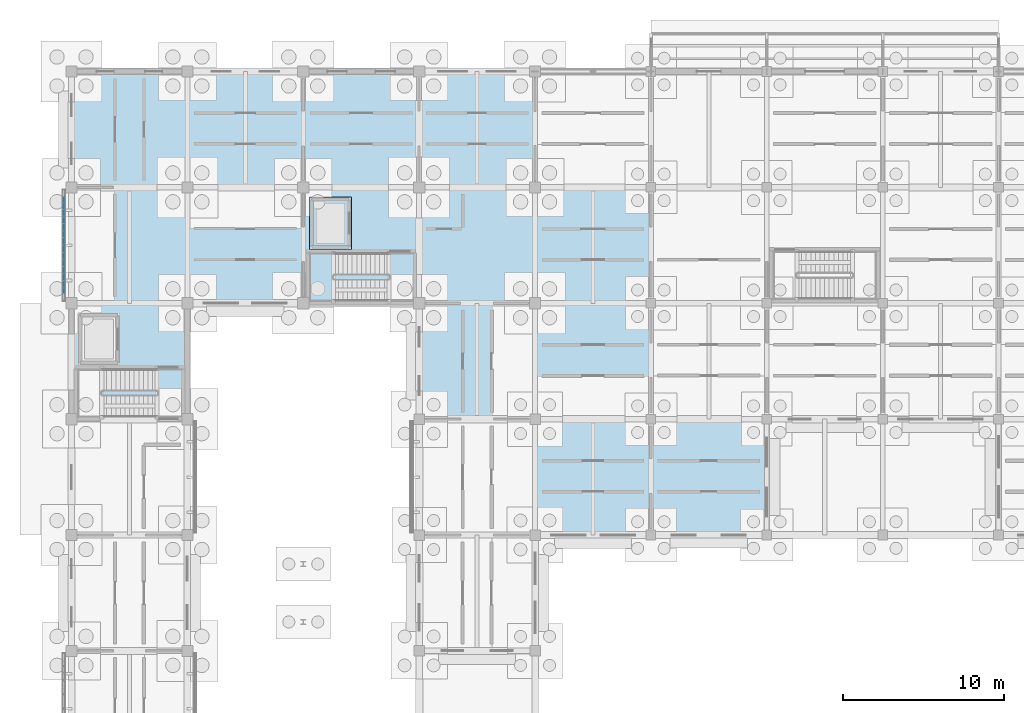
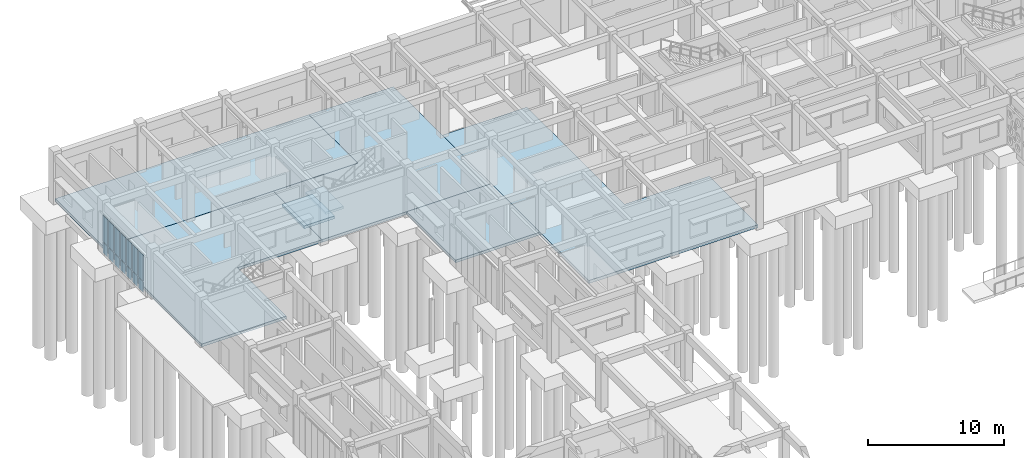
# One storey, part 51 of 111: 14 plates, 7 slabs, 2 elements without a shape of their own.
"""IFC4 building model written with IfcOpenShell, lengths in metres."""

from ifc_helpers import new_model, si_unit, direction, frame, origin, origin_2d, place, context, subcontext, project, spatial, polyline, rectangle, outline, extrude, material, layer, layer_set, type_object, element, aggregate, save


model = new_model("IFC4")

# Units and contexts
model_context = context("Model", 3, precision=1e-05, world=origin(), true_north=direction((0.0, 1.0)))
body_context = subcontext(model_context, "Body", "Model", "MODEL_VIEW")
ifc_project = project(units=[si_unit("LENGTHUNIT", "METRE"), si_unit("AREAUNIT", "SQUARE_METRE"), si_unit("VOLUMEUNIT", "CUBIC_METRE"), si_unit("PLANEANGLEUNIT", "RADIAN"), si_unit("MASSUNIT", "GRAM", prefix="KILO")], contexts=[model_context])

# Site, building, storey
site_placement = place(None, origin())
site = spatial("IfcSite", under=ifc_project, at=site_placement, CompositionType="ELEMENT")
building_placement = place(site_placement, origin())
building = spatial("IfcBuilding", under=site, at=building_placement, Name="Aldebral Square Health Centre", CompositionType="ELEMENT")
storey_placement = place(building_placement, origin())
storey = spatial("IfcBuildingStorey", under=building, at=storey_placement, Name="L00", CompositionType="ELEMENT", Elevation=0.0)

# Curtain wall, plates
ifc_material_1 = material(Name="Aluminium and low-E solar glass", Category="aluminium")
curtain_wall_type = type_object("IfcCurtainWallType", Name="CW-FIN-SYS", PredefinedType="USERDEFINED", material=ifc_material_1)
curtain_wall_placement = place(storey_placement, origin())
curtain_wall = element("IfcCurtainWall", 1, at=curtain_wall_placement, inside=storey, type_object=curtain_wall_type, Name="L00 V4 finned curtain wall L00-V4-00-14-W", ObjectType="SOLAR_CURTAIN_WALL", PredefinedType="USERDEFINED")
ifc_material_2 = material(Name="Solar-control low-E double glass", Category="glass")
ifc_layer_1 = layer(ifc_material_2, 0.02001953125, Name="Solar-control low-E double glass", Category="glass")
ifc_layer_set_1 = layer_set([ifc_layer_1], Name="Solar-control low-E double glass")
plate_type = type_object("IfcPlateType", Name="CWP-GLZ-1", PredefinedType="CURTAIN_PANEL", material=ifc_layer_set_1)
plate_1_placement = place(storey_placement, frame((-0.4599609375, 107.0341796875, 0.074951171875), z_axis=(0.0, 0.0, 1.0), x_axis=(0.0, -1.0, 0.0)))
plate_1 = element("IfcPlate", 2, at=plate_1_placement, type_object=plate_type, Name="CW1 panel 1.1", PredefinedType="CURTAIN_PANEL", context=body_context, shape_type="SweptSolid", body=[
    extrude(rectangle(XDim=0.6513671875, YDim=0.02001953125, at=origin_2d()), origin(), (0.0, 0.0, 1.0), 0.9375),
])
plate_2_placement = place(storey_placement, frame((-0.4599609375, 107.0341796875, 1.087646484375), z_axis=(0.0, 0.0, 1.0), x_axis=(0.0, -1.0, 0.0)))
plate_2 = element("IfcPlate", 3, at=plate_2_placement, type_object=plate_type, Name="CW1 panel 1.2", PredefinedType="CURTAIN_PANEL", context=body_context, shape_type="SweptSolid", body=[
    extrude(rectangle(XDim=0.6513671875, YDim=0.02001953125, at=origin_2d()), origin(), (0.0, 0.0, 1.0), 2.357421875),
])
plate_3_placement = place(storey_placement, frame((-0.4599609375, 106.182861328125, 0.074951171875), z_axis=(0.0, 0.0, 1.0), x_axis=(0.0, -1.0, 0.0)))
plate_3 = element("IfcPlate", 4, at=plate_3_placement, type_object=plate_type, Name="CW1 panel 2.1", PredefinedType="CURTAIN_PANEL", context=body_context, shape_type="SweptSolid", body=[
    extrude(rectangle(XDim=0.7314453125, YDim=0.02001953125, at=origin_2d()), origin(), (0.0, 0.0, 1.0), 0.9375),
])
plate_4_placement = place(storey_placement, frame((-0.4599609375, 106.182861328125, 1.087646484375), z_axis=(0.0, 0.0, 1.0), x_axis=(0.0, -1.0, 0.0)))
plate_4 = element("IfcPlate", 5, at=plate_4_placement, type_object=plate_type, Name="CW1 panel 2.2", PredefinedType="CURTAIN_PANEL", context=body_context, shape_type="SweptSolid", body=[
    extrude(rectangle(XDim=0.7314453125, YDim=0.02001953125, at=origin_2d()), origin(), (0.0, 0.0, 1.0), 2.357421875),
])
plate_5_placement = place(storey_placement, frame((-0.4599609375, 105.29150390625, 0.074951171875), z_axis=(0.0, 0.0, 1.0), x_axis=(0.0, -1.0, 0.0)))
plate_5 = element("IfcPlate", 6, at=plate_5_placement, type_object=plate_type, Name="CW1 panel 3.1", PredefinedType="CURTAIN_PANEL", context=body_context, shape_type="SweptSolid", body=[
    extrude(rectangle(XDim=0.7314453125, YDim=0.02001953125, at=origin_2d()), origin(), (0.0, 0.0, 1.0), 0.9375),
])
plate_6_placement = place(storey_placement, frame((-0.4599609375, 105.29150390625, 1.087646484375), z_axis=(0.0, 0.0, 1.0), x_axis=(0.0, -1.0, 0.0)))
plate_6 = element("IfcPlate", 7, at=plate_6_placement, type_object=plate_type, Name="CW1 panel 3.2", PredefinedType="CURTAIN_PANEL", context=body_context, shape_type="SweptSolid", body=[
    extrude(rectangle(XDim=0.7314453125, YDim=0.02001953125, at=origin_2d()), origin(), (0.0, 0.0, 1.0), 2.357421875),
])
plate_7_placement = place(storey_placement, frame((-0.4599609375, 104.39990234375, 0.074951171875), z_axis=(0.0, 0.0, 1.0), x_axis=(0.0, -1.0, 0.0)))
plate_7 = element("IfcPlate", 8, at=plate_7_placement, type_object=plate_type, Name="CW1 panel 4.1", PredefinedType="CURTAIN_PANEL", context=body_context, shape_type="SweptSolid", body=[
    extrude(rectangle(XDim=0.7314453125, YDim=0.02001953125, at=origin_2d()), origin(), (0.0, 0.0, 1.0), 0.9375),
])
plate_8_placement = place(storey_placement, frame((-0.4599609375, 104.39990234375, 1.087646484375), z_axis=(0.0, 0.0, 1.0), x_axis=(0.0, -1.0, 0.0)))
plate_8 = element("IfcPlate", 9, at=plate_8_placement, type_object=plate_type, Name="CW1 panel 4.2", PredefinedType="CURTAIN_PANEL", context=body_context, shape_type="SweptSolid", body=[
    extrude(rectangle(XDim=0.7314453125, YDim=0.02001953125, at=origin_2d()), origin(), (0.0, 0.0, 1.0), 2.357421875),
])
plate_9_placement = place(storey_placement, frame((-0.4599609375, 103.508544921875, 0.074951171875), z_axis=(0.0, 0.0, 1.0), x_axis=(0.0, -1.0, 0.0)))
plate_9 = element("IfcPlate", 10, at=plate_9_placement, type_object=plate_type, Name="CW1 panel 5.1", PredefinedType="CURTAIN_PANEL", context=body_context, shape_type="SweptSolid", body=[
    extrude(rectangle(XDim=0.7314453125, YDim=0.02001953125, at=origin_2d()), origin(), (0.0, 0.0, 1.0), 0.9375),
])
plate_10_placement = place(storey_placement, frame((-0.4599609375, 103.508544921875, 1.087646484375), z_axis=(0.0, 0.0, 1.0), x_axis=(0.0, -1.0, 0.0)))
plate_10 = element("IfcPlate", 11, at=plate_10_placement, type_object=plate_type, Name="CW1 panel 5.2", PredefinedType="CURTAIN_PANEL", context=body_context, shape_type="SweptSolid", body=[
    extrude(rectangle(XDim=0.7314453125, YDim=0.02001953125, at=origin_2d()), origin(), (0.0, 0.0, 1.0), 2.357421875),
])
plate_11_placement = place(storey_placement, frame((-0.4599609375, 102.6171875, 0.074951171875), z_axis=(0.0, 0.0, 1.0), x_axis=(0.0, -1.0, 0.0)))
plate_11 = element("IfcPlate", 12, at=plate_11_placement, type_object=plate_type, Name="CW1 panel 6.1", PredefinedType="CURTAIN_PANEL", context=body_context, shape_type="SweptSolid", body=[
    extrude(rectangle(XDim=0.7314453125, YDim=0.02001953125, at=origin_2d()), origin(), (0.0, 0.0, 1.0), 0.9375),
])
plate_12_placement = place(storey_placement, frame((-0.4599609375, 102.6171875, 1.087646484375), z_axis=(0.0, 0.0, 1.0), x_axis=(0.0, -1.0, 0.0)))
plate_12 = element("IfcPlate", 13, at=plate_12_placement, type_object=plate_type, Name="CW1 panel 6.2", PredefinedType="CURTAIN_PANEL", context=body_context, shape_type="SweptSolid", body=[
    extrude(rectangle(XDim=0.7314453125, YDim=0.02001953125, at=origin_2d()), origin(), (0.0, 0.0, 1.0), 2.357421875),
])
plate_13_placement = place(storey_placement, frame((-0.4599609375, 101.765625, 0.074951171875), z_axis=(0.0, 0.0, 1.0), x_axis=(0.0, -1.0, 0.0)))
plate_13 = element("IfcPlate", 14, at=plate_13_placement, type_object=plate_type, Name="CW1 panel 7.1", PredefinedType="CURTAIN_PANEL", context=body_context, shape_type="SweptSolid", body=[
    extrude(rectangle(XDim=0.6513671875, YDim=0.02001953125, at=origin_2d()), origin(), (0.0, 0.0, 1.0), 0.9375),
])
plate_14_placement = place(storey_placement, frame((-0.4599609375, 101.765625, 1.087646484375), z_axis=(0.0, 0.0, 1.0), x_axis=(0.0, -1.0, 0.0)))
plate_14 = element("IfcPlate", 15, at=plate_14_placement, type_object=plate_type, Name="CW1 panel 7.2", PredefinedType="CURTAIN_PANEL", context=body_context, shape_type="SweptSolid", body=[
    extrude(rectangle(XDim=0.6513671875, YDim=0.02001953125, at=origin_2d()), origin(), (0.0, 0.0, 1.0), 2.357421875),
])
aggregate(curtain_wall, [plate_1, plate_2, plate_3, plate_4, plate_5, plate_6, plate_7, plate_8, plate_9, plate_10, plate_11, plate_12, plate_13, plate_14])

# Slabs
ifc_material_3 = material(Name="Concrete C35/45", Category="concrete")
ifc_layer_2 = layer(ifc_material_3, 0.25, Name="Concrete C35/45", Category="concrete")
ifc_layer_set_2 = layer_set([ifc_layer_2], Name="Concrete C35/45")
slab_type_1 = type_object("IfcSlabType", Name="SL-BASE-250", PredefinedType="BASESLAB", material=ifc_layer_set_2)
slab_1_placement = place(storey_placement, frame((0.0, 0.0, -0.25)))
element("IfcSlab", 16, at=slab_1_placement, inside=storey, type_object=slab_type_1, Name="L00 V4 base slab 4", PredefinedType="BASESLAB", context=body_context, shape_type="SweptSolid", body=[
    extrude(outline(polyline([(7.199951171875, 93.60009765625), (0.0, 93.60009765625), (0.0, 100.800048828125), (0.0, 108.0), (7.199951171875, 108.0), (14.39990234375, 108.0), (14.39990234375, 100.800048828125), (7.199951171875, 100.800048828125), (7.199951171875, 93.60009765625)])), origin(), (0.0, 0.0, 1.0), 0.25),
])
slab_2_placement = place(storey_placement, frame((0.0, 0.0, -0.25)))
element("IfcSlab", 17, at=slab_2_placement, inside=storey, type_object=slab_type_1, Name="L00 V4 base slab 5", PredefinedType="BASESLAB", context=body_context, shape_type="SweptSolid", body=[
    extrude(outline(polyline([(0.0, 108.0), (0.0, 115.199951171875), (7.199951171875, 115.199951171875), (14.39990234375, 115.199951171875), (21.60009765625, 115.199951171875), (21.60009765625, 108.0), (14.39990234375, 108.0), (7.199951171875, 108.0), (0.0, 108.0)])), origin(), (0.0, 0.0, 1.0), 0.25),
])
slab_3_placement = place(storey_placement, frame((0.0, 0.0, -0.25)))
element("IfcSlab", 18, at=slab_3_placement, inside=storey, type_object=slab_type_1, Name="L00 V4 base slab 7", PredefinedType="BASESLAB", context=body_context, shape_type="SweptSolid", body=[
    extrude(outline(polyline([(14.39990234375, 100.800048828125), (14.39990234375, 108.0), (21.60009765625, 108.0), (21.60009765625, 115.199951171875), (28.800048828125, 115.199951171875), (28.800048828125, 108.0), (28.800048828125, 100.800048828125), (21.60009765625, 100.800048828125), (14.39990234375, 100.800048828125)])), origin(), (0.0, 0.0, 1.0), 0.25),
])
slab_4_placement = place(storey_placement, frame((0.0, 0.0, -0.25)))
element("IfcSlab", 19, at=slab_4_placement, inside=storey, type_object=slab_type_1, Name="L00 V4 base slab 9", PredefinedType="BASESLAB", context=body_context, shape_type="SweptSolid", body=[
    extrude(outline(polyline([(28.800048828125, 93.60009765625), (28.800048828125, 100.800048828125), (21.60009765625, 100.800048828125), (21.60009765625, 93.60009765625), (28.800048828125, 93.60009765625)])), origin(), (0.0, 0.0, 1.0), 0.25),
])
slab_5_placement = place(storey_placement, frame((0.0, 0.0, -1.199951171875)))
element("IfcSlab", 20, at=slab_5_placement, inside=storey, type_object=slab_type_1, Name="LF-02 pit slab", PredefinedType="BASESLAB", context=body_context, shape_type="SweptSolid", body=[
    extrude(outline(polyline([(14.800048828125, 104.14990234375), (17.39990234375, 104.14990234375), (17.39990234375, 107.39990234375), (14.800048828125, 107.39990234375), (14.800048828125, 104.14990234375)])), origin(), (0.0, 0.0, 1.0), 0.25),
])
ifc_layer_3 = layer(ifc_material_3, 0.27001953125, Name="Concrete C35/45", Category="concrete")
ifc_layer_set_3 = layer_set([ifc_layer_3], Name="Concrete C35/45")
slab_type_2 = type_object("IfcSlabType", Name="SL-BASE-270", PredefinedType="BASESLAB", material=ifc_layer_set_3)
slab_6_placement = place(storey_placement, frame((0.0, 0.0, -0.27001953125)))
element("IfcSlab", 21, at=slab_6_placement, inside=storey, type_object=slab_type_2, Name="L00 V2 base slab 1", PredefinedType="BASESLAB", context=body_context, shape_type="SweptSolid", body=[
    extrude(outline(polyline([(28.800048828125, 93.60009765625), (28.800048828125, 100.800048828125), (28.800048828125, 108.0), (36.0, 108.0), (36.0, 100.800048828125), (36.0, 93.60009765625), (43.199951171875, 93.60009765625), (43.199951171875, 86.39990234375), (36.0, 86.39990234375), (28.800048828125, 86.39990234375), (28.800048828125, 93.60009765625)])), origin(), (0.0, 0.0, 1.0), 0.27001953125),
])

# Stair, slab
stair_type = type_object("IfcStairType", Name="ST-DOG-140", PredefinedType="HALF_TURN_STAIR", material=ifc_material_3)
stair_placement = place(storey_placement, origin())
stair = element("IfcStair", 22, at=stair_placement, inside=storey, type_object=stair_type, Name="L00 ST-02", PredefinedType="HALF_TURN_STAIR")
ifc_layer_4 = layer(ifc_material_3, 0.199951171875, Name="Concrete C35/45", Category="concrete")
ifc_layer_set_4 = layer_set([ifc_layer_4], Name="Concrete C35/45")
slab_type_3 = type_object("IfcSlabType", Name="SL-LND-200", PredefinedType="LANDING", material=ifc_layer_set_4)
slab_7_placement = place(storey_placement, frame((0.0, 0.0, 2.050048828125)))
slab_7 = element("IfcSlab", 23, at=slab_7_placement, type_object=slab_type_3, Name="ST-02 landing 1", PredefinedType="LANDING", context=body_context, shape_type="SweptSolid", body=[
    extrude(outline(polyline([(16.300048828125, 103.919921875), (14.780029296875, 103.919921875), (14.780029296875, 100.919921875), (16.300048828125, 100.919921875), (16.300048828125, 103.919921875)])), origin(), (0.0, 0.0, 1.0), 0.199951171875),
])
aggregate(stair, [slab_7])

save(model, "model.ifc")
